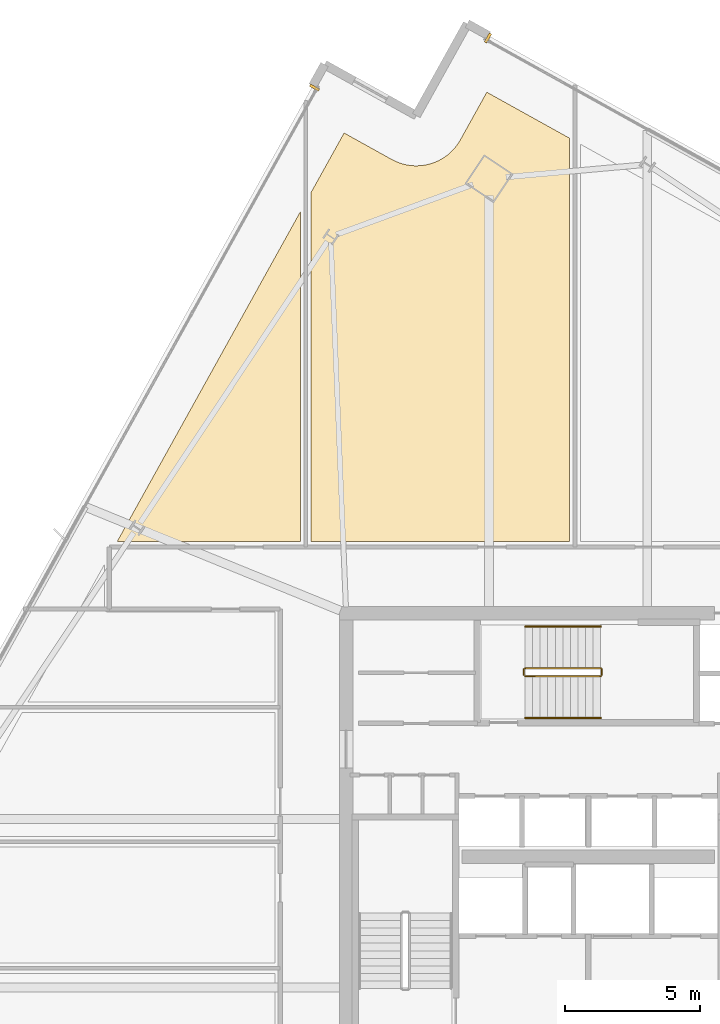
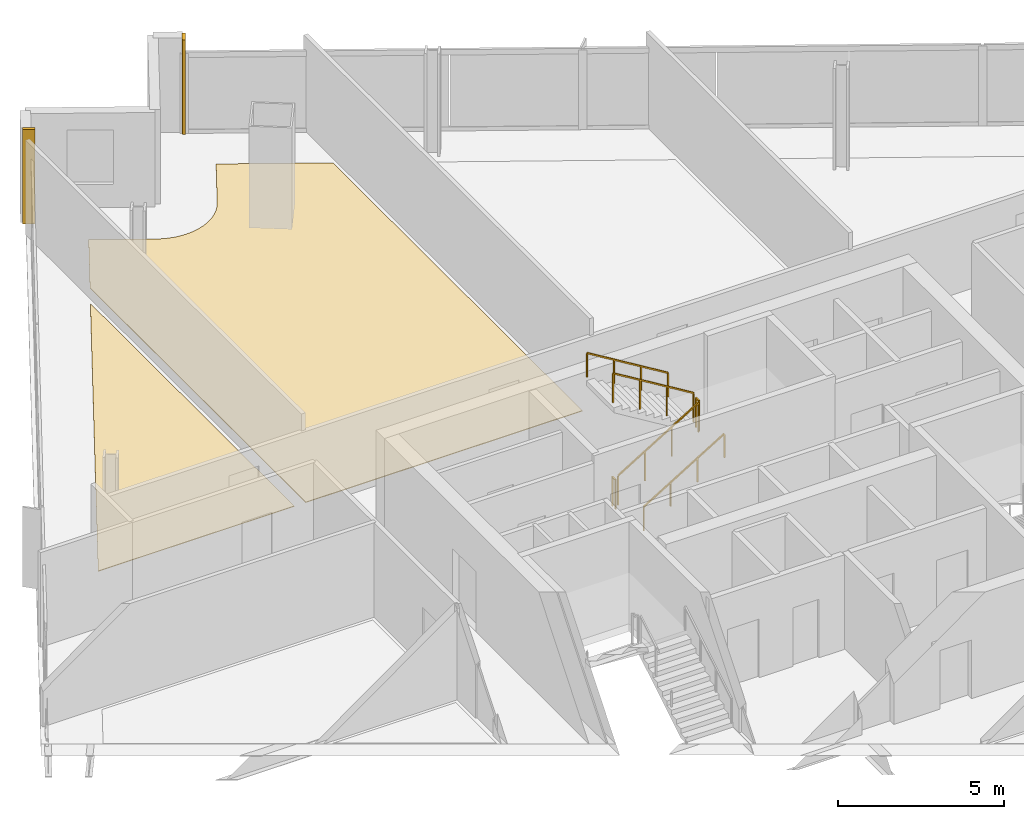
# One storey, part 27 of 28: 6 railings, 4 coverings.
"""IFC4 building model written with IfcOpenShell, lengths in metres."""

from ifc_helpers import new_model, si_unit, direction, frame, origin, origin_2d, place, context, subcontext, project, spatial, polyline, rectangle, outline, extrude, source, transform, mapped, material, layer, layer_set, type_object, element, save


model = new_model("IFC4")

# Units and contexts
model_context = context("Model", 3, precision=1e-05, world=origin(), true_north=direction((0.0, 1.0)))
body_context = subcontext(model_context, "Body", "Model", "MODEL_VIEW")
ifc_project = project(units=[si_unit("LENGTHUNIT", "METRE"), si_unit("AREAUNIT", "SQUARE_METRE"), si_unit("VOLUMEUNIT", "CUBIC_METRE"), si_unit("PLANEANGLEUNIT", "RADIAN"), si_unit("MASSUNIT", "GRAM", prefix="KILO")], contexts=[model_context])

# Site, building, storey
site_placement = place(None, origin())
site = spatial("IfcSite", under=ifc_project, at=site_placement, CompositionType="ELEMENT")
building_placement = place(site_placement, origin())
building = spatial("IfcBuilding", under=site, at=building_placement, Name="Haldenkirk Collegiate Tower", CompositionType="ELEMENT")
storey_placement = place(building_placement, frame((0.0, 0.0, 232.199951171875)))
storey = spatial("IfcBuildingStorey", under=building, at=storey_placement, Name="L58", CompositionType="ELEMENT", Elevation=232.199951171875)

# Coverings
ifc_material_1 = material(Name="Polished collegiate terrazzo", Category="concrete")
ifc_layer_1 = layer(ifc_material_1, 0.02490234375)
ifc_layer_set_1 = layer_set([ifc_layer_1], Name="Polished collegiate terrazzo")
covering_type_1 = type_object("IfcCoveringType", Name="COV-FLOOR-TERRAZZO", PredefinedType="FLOORING", material=ifc_layer_set_1)
covering_1_placement = place(storey_placement, origin())
element("IfcCovering", 1, at=covering_1_placement, inside=storey, type_object=covering_type_1, Name="L58 academic room finish 04", PredefinedType="FLOORING", context=body_context, shape_type="SweptSolid", body=[
    extrude(outline(polyline([(26.924072265625, 51.83740234375), (28.69873046875, 50.851806640625), (28.7041015625, 50.84912109375), (28.858154296875, 50.773193359375), (28.868896484375, 50.768310546875), (29.02978515625, 50.7080078125), (29.041015625, 50.704345703125), (29.206787109375, 50.659912109375), (29.218017578125, 50.657470703125), (29.3876953125, 50.62939453125), (29.3994140625, 50.628173828125), (29.57080078125, 50.616943359375), (29.58251953125, 50.61669921875), (29.754150390625, 50.62255859375), (29.765869140625, 50.623291015625), (29.93603515625, 50.645751953125), (29.94775390625, 50.64794921875), (30.114990234375, 50.68701171875), (30.126220703125, 50.690185546875), (30.288818359375, 50.74560546875), (30.2998046875, 50.749755859375), (30.456298828125, 50.82080078125), (30.466796875, 50.826171875), (30.615478515625, 50.912109375), (30.625244140625, 50.91845703125), (30.764892578125, 51.0185546875), (30.774169921875, 51.02587890625), (30.9033203125, 51.138916015625), (30.91162109375, 51.147216796875), (31.029052734375, 51.272705078125), (31.03662109375, 51.281494140625), (31.14111328125, 51.41796875), (31.14794921875, 51.427490234375), (31.238525390625, 51.573486328125), (31.241455078125, 51.578369140625), (32.227294921875, 53.35302734375), (35.300048828125, 51.646240234375), (35.300048828125, 36.64990234375), (25.699951171875, 36.64990234375), (25.699951171875, 49.633544921875), (26.924072265625, 51.83740234375)])), origin(), (0.0, 0.0, 1.0), 0.025146484375),
])
ifc_material_2 = material(Name="Engineered collegiate oak acoustic flooring", Category="wood")
ifc_layer_2 = layer(ifc_material_2, 0.02197265625)
ifc_layer_set_2 = layer_set([ifc_layer_2], Name="Engineered collegiate oak acoustic flooring")
covering_type_2 = type_object("IfcCoveringType", Name="COV-FLOOR-TIMBER", PredefinedType="FLOORING", material=ifc_layer_set_2)
covering_2_placement = place(storey_placement, origin())
element("IfcCovering", 2, at=covering_2_placement, inside=storey, type_object=covering_type_2, Name="L58 academic room finish 03", PredefinedType="FLOORING", context=body_context, shape_type="SweptSolid", body=[
    extrude(outline(polyline([(25.300048828125, 48.913330078125), (25.300048828125, 36.64990234375), (18.48828125, 36.64990234375), (25.300048828125, 48.913330078125)])), origin(), (0.0, 0.0, 1.0), 0.02197265625),
])

# Railings
ifc_material_3 = material(Name="Painted architectural tubular steel", Category="steel")
railing_type_1 = type_object("IfcRailingType", Name="RLG-STAIR-GUARD-1100", PredefinedType="BALUSTRADE", material=ifc_material_3)
railing_1_placement = place(storey_placement, frame((33.64990234375, 31.64990234375, 0.17041015625)))
element("IfcRailing", 3, at=railing_1_placement, inside=storey, type_object=railing_type_1, Name="L58 ST-3 stair guard 1", PredefinedType="BALUSTRADE", context=body_context, shape_type="SweptSolid", body=[
    extrude(rectangle(XDim=0.048095703125, YDim=0.048095703125, at=origin_2d()), frame((0.0, 0.0, 1.076171875), z_axis=(0.854169791009, 0.0, 0.51999420009), x_axis=(0.0, 1.0, 0.0)), (0.0, 0.0, 1.0), 3.278076171875),
    extrude(rectangle(XDim=0.0419921875, YDim=0.0419921875, at=origin_2d()), origin(), (0.0, 0.0, 1.0), 1.052001953125),
    extrude(rectangle(XDim=0.0419921875, YDim=0.0419921875, at=origin_2d()), frame((0.933349609375, 0.0, 0.568115234375)), (0.0, 0.0, 1.0), 1.052001953125),
    extrude(rectangle(XDim=0.0419921875, YDim=0.0419921875, at=origin_2d()), frame((1.86669921875, 0.0, 1.136474609375)), (0.0, 0.0, 1.0), 1.052001953125),
    extrude(rectangle(XDim=0.0419921875, YDim=0.0419921875, at=origin_2d()), frame((2.800048828125, 0.0, 1.70458984375)), (0.0, 0.0, 1.0), 1.052001953125),
])
railing_2_placement = place(storey_placement, frame((36.5, 31.699951171875, 1.875)))
element("IfcRailing", 4, at=railing_2_placement, inside=storey, type_object=railing_type_1, Name="L58 ST-3 stair guard 2", PredefinedType="BALUSTRADE", context=body_context, shape_type="SweptSolid", body=[
    extrude(rectangle(XDim=0.048095703125, YDim=0.048095703125, at=origin_2d()), frame((0.0, 0.0, 1.076171875), z_axis=(0.0, 1.0, 0.0), x_axis=(-1.0, 0.0, 0.0)), (0.0, 0.0, 1.0), 0.199951171875),
    extrude(rectangle(XDim=0.0419921875, YDim=0.0419921875, at=origin_2d()), origin(), (0.0, 0.0, 1.0), 1.052001953125),
    extrude(rectangle(XDim=0.0419921875, YDim=0.0419921875, at=origin_2d()), frame((0.0, 0.199951171875, 0.0)), (0.0, 0.0, 1.0), 1.052001953125),
])
railing_3_placement = place(storey_placement, frame((36.449951171875, 31.949951171875, 2.04541015625)))
element("IfcRailing", 5, at=railing_3_placement, inside=storey, type_object=railing_type_1, Name="L58 ST-3 stair guard 3", PredefinedType="BALUSTRADE", context=body_context, shape_type="SweptSolid", body=[
    extrude(rectangle(XDim=0.048095703125, YDim=0.048095703125, at=origin_2d()), frame((0.0, 0.0, 1.076171875), z_axis=(-0.854169791009, 0.0, 0.51999420009), x_axis=(0.0, -1.0, 0.0)), (0.0, 0.0, 1.0), 3.278076171875),
    extrude(rectangle(XDim=0.0419921875, YDim=0.0419921875, at=origin_2d()), origin(), (0.0, 0.0, 1.0), 1.052001953125),
    extrude(rectangle(XDim=0.0419921875, YDim=0.0419921875, at=origin_2d()), frame((-0.933349609375, 0.0, 0.568115234375)), (0.0, 0.0, 1.0), 1.052001953125),
    extrude(rectangle(XDim=0.0419921875, YDim=0.0419921875, at=origin_2d()), frame((-1.86669921875, 0.0, 1.136474609375)), (0.0, 0.0, 1.0), 1.052001953125),
    extrude(rectangle(XDim=0.0419921875, YDim=0.0419921875, at=origin_2d()), frame((-2.800048828125, 0.0, 1.70458984375)), (0.0, 0.0, 1.0), 1.052001953125),
])
railing_4_placement = place(storey_placement, frame((33.60009765625, 31.699951171875, 0.0)))
element("IfcRailing", 6, at=railing_4_placement, inside=storey, type_object=railing_type_1, Name="L58 ST-3 stair guard 4", PredefinedType="BALUSTRADE", context=body_context, shape_type="SweptSolid", body=[
    extrude(rectangle(XDim=0.048095703125, YDim=0.048095703125, at=origin_2d()), frame((0.0, 0.0, 1.076171875), z_axis=(0.0, 1.0, 0.0), x_axis=(-1.0, 0.0, 0.0)), (0.0, 0.0, 1.0), 0.199951171875),
    extrude(rectangle(XDim=0.0419921875, YDim=0.0419921875, at=origin_2d()), origin(), (0.0, 0.0, 1.0), 1.052001953125),
    extrude(rectangle(XDim=0.0419921875, YDim=0.0419921875, at=origin_2d()), frame((0.0, 0.199951171875, 0.0)), (0.0, 0.0, 1.0), 1.052001953125),
])
railing_type_2 = type_object("IfcRailingType", Name="RLG-STAIR-HANDRAIL-900", PredefinedType="HANDRAIL", material=ifc_material_3)
railing_5_placement = place(storey_placement, frame((33.64990234375, 30.10009765625, 0.17041015625)))
element("IfcRailing", 7, at=railing_5_placement, inside=storey, type_object=railing_type_2, Name="L58 ST-3 stair handrail 1", PredefinedType="HANDRAIL", context=body_context, shape_type="SweptSolid", body=[
    extrude(rectangle(XDim=0.048095703125, YDim=0.048095703125, at=origin_2d()), frame((0.0, 0.0, 0.8759765625), z_axis=(0.854169791009, 0.0, 0.51999420009), x_axis=(0.0, 1.0, 0.0)), (0.0, 0.0, 1.0), 3.278076171875),
    extrude(rectangle(XDim=0.0419921875, YDim=0.0419921875, at=origin_2d()), origin(), (0.0, 0.0, 1.0), 0.851806640625),
    extrude(rectangle(XDim=0.0419921875, YDim=0.0419921875, at=origin_2d()), frame((0.933349609375, 0.0, 0.568115234375)), (0.0, 0.0, 1.0), 0.851806640625),
    extrude(rectangle(XDim=0.0419921875, YDim=0.0419921875, at=origin_2d()), frame((1.86669921875, 0.0, 1.136474609375)), (0.0, 0.0, 1.0), 0.851806640625),
    extrude(rectangle(XDim=0.0419921875, YDim=0.0419921875, at=origin_2d()), frame((2.800048828125, 0.0, 1.70458984375)), (0.0, 0.0, 1.0), 0.851806640625),
])
railing_6_placement = place(storey_placement, frame((36.449951171875, 33.5, 2.04541015625)))
element("IfcRailing", 8, at=railing_6_placement, inside=storey, type_object=railing_type_2, Name="L58 ST-3 stair handrail 2", PredefinedType="HANDRAIL", context=body_context, shape_type="SweptSolid", body=[
    extrude(rectangle(XDim=0.048095703125, YDim=0.048095703125, at=origin_2d()), frame((0.0, 0.0, 0.8759765625), z_axis=(-0.854169791009, 0.0, 0.51999420009), x_axis=(0.0, -1.0, 0.0)), (0.0, 0.0, 1.0), 3.278076171875),
    extrude(rectangle(XDim=0.0419921875, YDim=0.0419921875, at=origin_2d()), origin(), (0.0, 0.0, 1.0), 0.851806640625),
    extrude(rectangle(XDim=0.0419921875, YDim=0.0419921875, at=origin_2d()), frame((-0.933349609375, 0.0, 0.568115234375)), (0.0, 0.0, 1.0), 0.851806640625),
    extrude(rectangle(XDim=0.0419921875, YDim=0.0419921875, at=origin_2d()), frame((-1.86669921875, 0.0, 1.136474609375)), (0.0, 0.0, 1.0), 0.851806640625),
    extrude(rectangle(XDim=0.0419921875, YDim=0.0419921875, at=origin_2d()), frame((-2.800048828125, 0.0, 1.70458984375)), (0.0, 0.0, 1.0), 0.851806640625),
])

# Coverings
ifc_material_4 = material(Name="Anodised architectural bronze aluminium", Category="aluminium")
ifc_layer_3 = layer(ifc_material_4, 0.06005859375)
ifc_layer_set_3 = layer_set([ifc_layer_3], Name="Anodised architectural bronze aluminium")
covering_type_3 = type_object("IfcCoveringType", Name="COV-CLAD-BRONZE-60", PredefinedType="CLADDING", material=ifc_layer_set_3)
shared_shape = source(origin(), body_context, "Body", "SweptSolid", [
    extrude(rectangle(XDim=0.10009765625, YDim=0.3798828125, at=origin_2d()), origin(), (0.0, 0.0, 1.0), 3.469970703125),
])
for number, where, z_axis, x_axis, name in (
    (9, (32.269775390625, 55.365478515625, 0.0), (0.0, 0.0, 1.0), (0.874196297957, -0.485572685227, 0.0), "L58 recessed curtain-wall bronze jamb closure EJL"),
    (10, (25.824462890625, 53.5234375, 0.0), (0.0, 0.0, 1.0), (0.485572685227, 0.874196297957, 0.0), "L58 recessed curtain-wall bronze jamb closure NJR"),
):
    element("IfcCovering", number, at=place(storey_placement, frame(where, z_axis=z_axis, x_axis=x_axis)), inside=storey, type_object=covering_type_3, Name=name, PredefinedType="CLADDING", context=body_context, shape_type="MappedRepresentation", body=[
        mapped(shared_shape, transform((0.0, 0.0, 0.0), x_axis=(1.0, 0.0, 0.0), y_axis=(0.0, 1.0, 0.0), z_axis=(0.0, 0.0, 1.0), scale=1.0)),
    ])

save(model, "model.ifc")
